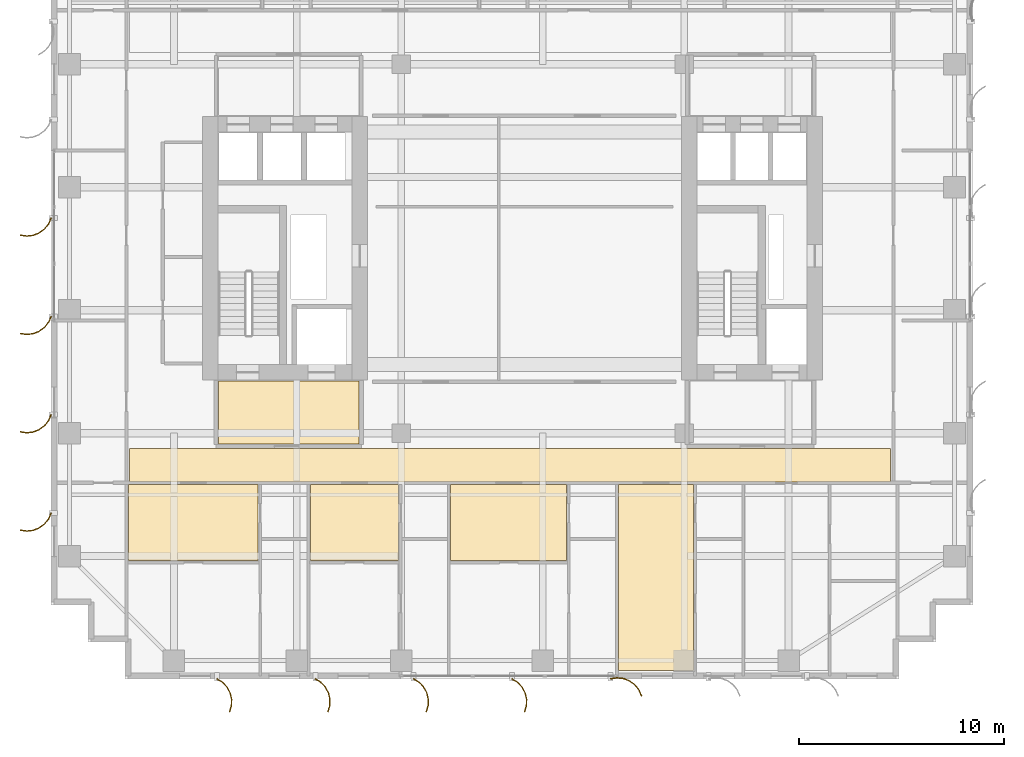
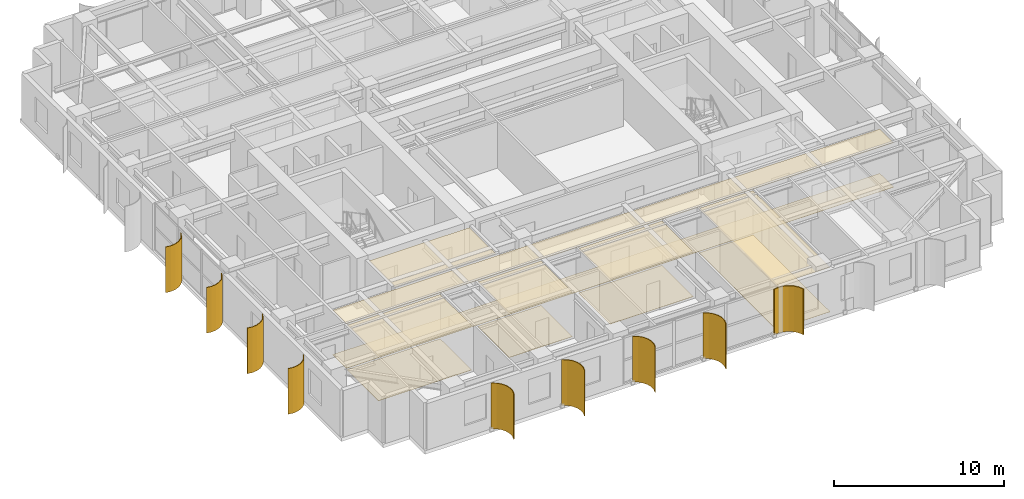
# One storey, part 19 of 22: 11 coverings, 9 shading devices.
"""IFC4 building model written with IfcOpenShell, lengths in metres."""

from ifc_helpers import new_model, si_unit, direction, frame, origin, place, context, subcontext, project, spatial, polyline, outline, extrude, source, transform, mapped, material, layer, layer_set, type_object, element, save


model = new_model("IFC4")

# Units and contexts
model_context = context("Model", 3, precision=1e-05, world=origin(), true_north=direction((0.0, 1.0)))
body_context = subcontext(model_context, "Body", "Model", "MODEL_VIEW")
ifc_project = project(units=[si_unit("LENGTHUNIT", "METRE"), si_unit("AREAUNIT", "SQUARE_METRE"), si_unit("VOLUMEUNIT", "CUBIC_METRE"), si_unit("PLANEANGLEUNIT", "RADIAN"), si_unit("MASSUNIT", "GRAM", prefix="KILO")], contexts=[model_context])

# Site, building, storey
site_placement = place(None, origin())
site = spatial("IfcSite", under=ifc_project, at=site_placement, CompositionType="ELEMENT")
building_placement = place(site_placement, origin())
building = spatial("IfcBuilding", under=site, at=building_placement, Name="Khoralis Quay Care Tower", CompositionType="ELEMENT")
storey_placement = place(building_placement, frame((0.0, 0.0, 94.5)))
storey = spatial("IfcBuildingStorey", under=building, at=storey_placement, Name="L24", CompositionType="ELEMENT", Elevation=94.5)

# Coverings
ifc_material_1 = material(Name="Mineral-fibre acoustic ceiling tile")
ifc_layer_1 = layer(ifc_material_1, 0.01806640625)
ifc_layer_set_1 = layer_set([ifc_layer_1], Name="Mineral-fibre acoustic ceiling tile")
covering_type_1 = type_object("IfcCoveringType", Name="COV-CEIL-AC18", PredefinedType="CEILING", material=ifc_layer_set_1)
covering_1_placement = place(storey_placement, frame((0.0, 0.0, 3.19189453125)))
element("IfcCovering", 1, at=covering_1_placement, inside=storey, type_object=covering_type_1, Name="Suspended Acoustic Ceiling SP-L24-FFLOB-W", PredefinedType="CEILING", context=body_context, shape_type="SweptSolid", body=[
    extrude(outline(polyline([(8.179931640625, 11.47998046875), (15.02001953125, 11.47998046875), (15.02001953125, 14.550048828125), (8.179931640625, 14.550048828125), (8.179931640625, 11.47998046875)])), origin(), (0.0, 0.0, 1.0), 0.01806640625),
])
covering_2_placement = place(storey_placement, frame((0.0, 0.0, 3.19189453125)))
element("IfcCovering", 2, at=covering_2_placement, inside=storey, type_object=covering_type_1, Name="Suspended Acoustic Ceiling SP-L24-CORR-S", PredefinedType="CEILING", context=body_context, shape_type="SweptSolid", body=[
    extrude(outline(polyline([(3.820068359375, 9.6201171875), (40.97998046875, 9.6201171875), (40.97998046875, 11.239990234375), (3.820068359375, 11.239990234375), (3.820068359375, 9.6201171875)])), origin(), (0.0, 0.0, 1.0), 0.01806640625),
])
covering_3_placement = place(storey_placement, frame((0.0, 0.0, 3.19189453125)))
element("IfcCovering", 3, at=covering_3_placement, inside=storey, type_object=covering_type_1, Name="Suspended Acoustic Ceiling SP-L24-SB-CARE0", PredefinedType="CEILING", context=body_context, shape_type="SweptSolid", body=[
    extrude(outline(polyline([(3.780029296875, 5.7900390625), (10.110107421875, 5.7900390625), (10.110107421875, 9.47998046875), (3.780029296875, 9.47998046875), (3.780029296875, 5.7900390625)])), origin(), (0.0, 0.0, 1.0), 0.01806640625),
])
covering_4_placement = place(storey_placement, frame((0.0, 0.0, 3.19189453125)))
element("IfcCovering", 4, at=covering_4_placement, inside=storey, type_object=covering_type_1, Name="Suspended Acoustic Ceiling SP-L24-SB-CARE1", PredefinedType="CEILING", context=body_context, shape_type="SweptSolid", body=[
    extrude(outline(polyline([(12.659912109375, 5.7900390625), (16.9599609375, 5.7900390625), (16.9599609375, 9.47998046875), (12.659912109375, 9.47998046875), (12.659912109375, 5.7900390625)])), origin(), (0.0, 0.0, 1.0), 0.01806640625),
])
covering_5_placement = place(storey_placement, frame((0.0, 0.0, 3.19189453125)))
element("IfcCovering", 5, at=covering_5_placement, inside=storey, type_object=covering_type_1, Name="Suspended Acoustic Ceiling SP-L24-SB-CARE2", PredefinedType="CEILING", context=body_context, shape_type="SweptSolid", body=[
    extrude(outline(polyline([(19.510009765625, 5.7900390625), (25.169921875, 5.7900390625), (25.169921875, 9.47998046875), (19.510009765625, 9.47998046875), (19.510009765625, 5.7900390625)])), origin(), (0.0, 0.0, 1.0), 0.01806640625),
])
covering_6_placement = place(storey_placement, frame((0.0, 0.0, 3.19189453125)))
element("IfcCovering", 6, at=covering_6_placement, inside=storey, type_object=covering_type_1, Name="Suspended Acoustic Ceiling SP-L24-SB-CARE3", PredefinedType="CEILING", context=body_context, shape_type="SweptSolid", body=[
    extrude(outline(polyline([(27.699951171875, 0.419921875), (31.360107421875, 0.419921875), (31.360107421875, 9.5), (27.699951171875, 9.5), (27.699951171875, 0.419921875)])), origin(), (0.0, 0.0, 1.0), 0.01806640625),
])
ifc_material_2 = material(Name="Porcelain and non-slip vinyl flooring")
ifc_layer_2 = layer(ifc_material_2, 0.02001953125)
ifc_layer_set_2 = layer_set([ifc_layer_2], Name="Porcelain and non-slip vinyl flooring")
covering_type_2 = type_object("IfcCoveringType", Name="COV-FLOOR-20", PredefinedType="FLOORING", material=ifc_layer_set_2)
covering_7_placement = place(storey_placement, origin())
element("IfcCovering", 7, at=covering_7_placement, inside=storey, type_object=covering_type_2, Name="Resilient Healthcare Flooring SP-L24-CORR-S", PredefinedType="FLOORING", context=body_context, shape_type="SweptSolid", body=[
    extrude(outline(polyline([(3.820068359375, 9.6201171875), (40.97998046875, 9.6201171875), (40.97998046875, 11.239990234375), (3.820068359375, 11.239990234375), (3.820068359375, 9.6201171875)])), origin(), (0.0, 0.0, 1.0), 0.02001953125),
])
covering_8_placement = place(storey_placement, origin())
element("IfcCovering", 8, at=covering_8_placement, inside=storey, type_object=covering_type_2, Name="Resilient Healthcare Flooring SP-L24-SB-CARE0", PredefinedType="FLOORING", context=body_context, shape_type="SweptSolid", body=[
    extrude(outline(polyline([(3.780029296875, 5.7900390625), (10.110107421875, 5.7900390625), (10.110107421875, 9.47998046875), (3.780029296875, 9.47998046875), (3.780029296875, 5.7900390625)])), origin(), (0.0, 0.0, 1.0), 0.02001953125),
])
covering_9_placement = place(storey_placement, origin())
element("IfcCovering", 9, at=covering_9_placement, inside=storey, type_object=covering_type_2, Name="Resilient Healthcare Flooring SP-L24-SB-CARE1", PredefinedType="FLOORING", context=body_context, shape_type="SweptSolid", body=[
    extrude(outline(polyline([(12.659912109375, 5.7900390625), (16.9599609375, 5.7900390625), (16.9599609375, 9.47998046875), (12.659912109375, 9.47998046875), (12.659912109375, 5.7900390625)])), origin(), (0.0, 0.0, 1.0), 0.02001953125),
])
covering_10_placement = place(storey_placement, origin())
element("IfcCovering", 10, at=covering_10_placement, inside=storey, type_object=covering_type_2, Name="Resilient Healthcare Flooring SP-L24-SB-CARE2", PredefinedType="FLOORING", context=body_context, shape_type="SweptSolid", body=[
    extrude(outline(polyline([(19.510009765625, 5.7900390625), (25.169921875, 5.7900390625), (25.169921875, 9.47998046875), (19.510009765625, 9.47998046875), (19.510009765625, 5.7900390625)])), origin(), (0.0, 0.0, 1.0), 0.02001953125),
])
covering_11_placement = place(storey_placement, origin())
element("IfcCovering", 11, at=covering_11_placement, inside=storey, type_object=covering_type_2, Name="Resilient Healthcare Flooring SP-L24-SB-CARE3", PredefinedType="FLOORING", context=body_context, shape_type="SweptSolid", body=[
    extrude(outline(polyline([(27.699951171875, 0.419921875), (31.360107421875, 0.419921875), (31.360107421875, 9.5), (27.699951171875, 9.5), (27.699951171875, 0.419921875)])), origin(), (0.0, 0.0, 1.0), 0.02001953125),
])

# Shading devices
ifc_material_3 = material(Name="Brushed pale anodised aluminium", Category="aluminium")
ifc_layer_3 = layer(ifc_material_3, 0.044921875)
ifc_layer_set_3 = layer_set([ifc_layer_3], Name="Brushed pale anodised aluminium")
shading_device_type = type_object("IfcShadingDeviceType", Name="SHD-FIN-1250", PredefinedType="USERDEFINED", material=ifc_layer_set_3)
shared_shape_1 = source(origin(), body_context, "Body", "SweptSolid", [
    extrude(outline(polyline([(0.0, 0.0), (0.17041015625, 0.2783203125), (0.4072265625, 0.5029296875), (0.694091796875, 0.658447265625), (1.01123046875, 0.734619140625), (1.33740234375, 0.72607421875), (1.650390625, 0.633544921875), (1.632080078125, 0.59228515625), (1.330322265625, 0.681640625), (1.015869140625, 0.68994140625), (0.710205078125, 0.616455078125), (0.43359375, 0.466552734375), (0.20556640625, 0.25), (0.041015625, -0.018310546875), (0.0, 0.0)])), origin(), (0.0, 0.0, 1.0), 3.280029296875),
])
for number, where, z_axis, x_axis, name in (
    (12, (8.10009765625, 0.030029296875, 0.02001953125), (0.0, 0.0, 1.0), (0.0, -1.0, 0.0), "L24 Curved Solar Fin P1E0-01"),
    (13, (12.89990234375, 0.030029296875, 0.02001953125), (0.0, 0.0, 1.0), (0.0, -1.0, 0.0), "L24 Curved Solar Fin P1E0-02"),
    (14, (17.699951171875, 0.030029296875, 0.02001953125), (0.0, 0.0, 1.0), (0.0, -1.0, 0.0), "L24 Curved Solar Fin P1E0-03"),
    (15, (22.5, 0.030029296875, 0.02001953125), (0.0, 0.0, 1.0), (0.0, -1.0, 0.0), "L24 Curved Solar Fin P1E0-04"),
):
    element("IfcShadingDevice", number, at=place(storey_placement, frame(where, z_axis=z_axis, x_axis=x_axis)), inside=storey, type_object=shading_device_type, Name=name, ObjectType="FIN", PredefinedType="USERDEFINED", context=body_context, shape_type="MappedRepresentation", body=[
        mapped(shared_shape_1, transform((0.0, 0.0, 0.0), scale=1.0)),
    ])
shared_shape_2 = source(origin(), body_context, "Body", "SweptSolid", [
    extrude(outline(polyline([(0.0, 0.0), (-0.04833984375, 0.32275390625), (-0.01123046875, 0.64697265625), (0.1083984375, 0.950439453125), (0.302490234375, 1.212890625), (0.557861328125, 1.416015625), (0.85693359375, 1.546142578125), (0.869384765625, 1.5029296875), (0.5810546875, 1.37744140625), (0.334716796875, 1.181640625), (0.147705078125, 0.9287109375), (0.032470703125, 0.635986328125), (-0.003173828125, 0.323486328125), (0.043212890625, 0.012451171875), (0.0, 0.0)])), origin(), (0.0, 0.0, 1.0), 3.280029296875),
])
shading_device_placement = place(storey_placement, frame((27.300048828125, 0.030029296875, 0.02001953125), z_axis=(0.0, 0.0, 1.0), x_axis=(0.0, -1.0, 0.0)))
element("IfcShadingDevice", 16, at=shading_device_placement, inside=storey, type_object=shading_device_type, Name="L24 Curved Solar Fin P1E0-05", ObjectType="FIN", PredefinedType="USERDEFINED", context=body_context, shape_type="MappedRepresentation", body=[
    mapped(shared_shape_2, transform((0.0, 0.0, 0.0), scale=1.0)),
])
shared_shape_3 = source(origin(), body_context, "Body", "SweptSolid", [
    extrude(outline(polyline([(0.0, 0.0), (0.130126953125, 0.29931640625), (0.333251953125, 0.5546875), (0.595458984375, 0.748779296875), (0.899169921875, 0.868408203125), (1.223388671875, 0.9052734375), (1.546142578125, 0.85693359375), (1.53369140625, 0.813720703125), (1.22265625, 0.8603515625), (0.91015625, 0.82470703125), (0.617431640625, 0.70947265625), (0.364501953125, 0.522216796875), (0.168701171875, 0.276123046875), (0.043212890625, -0.012451171875), (0.0, 0.0)])), origin(), (0.0, 0.0, 1.0), 3.280029296875),
])
for number, where, z_axis, x_axis, name in (
    (17, (0.030029296875, 22.5, 0.02001953125), (0.0, 0.0, 1.0), (-1.0, 0.0, 0.0), "L24 Curved Solar Fin P1E15-04"),
    (18, (0.030029296875, 17.699951171875, 0.02001953125), (0.0, 0.0, 1.0), (-1.0, 0.0, 0.0), "L24 Curved Solar Fin P1E15-05"),
    (19, (0.030029296875, 12.89990234375, 0.02001953125), (0.0, 0.0, 1.0), (-1.0, 0.0, 0.0), "L24 Curved Solar Fin P1E15-06"),
    (20, (0.030029296875, 8.10009765625, 0.02001953125), (0.0, 0.0, 1.0), (-1.0, 0.0, 0.0), "L24 Curved Solar Fin P1E15-07"),
):
    element("IfcShadingDevice", number, at=place(storey_placement, frame(where, z_axis=z_axis, x_axis=x_axis)), inside=storey, type_object=shading_device_type, Name=name, ObjectType="FIN", PredefinedType="USERDEFINED", context=body_context, shape_type="MappedRepresentation", body=[
        mapped(shared_shape_3, transform((0.0, 0.0, 0.0), scale=1.0)),
    ])

save(model, "model.ifc")
